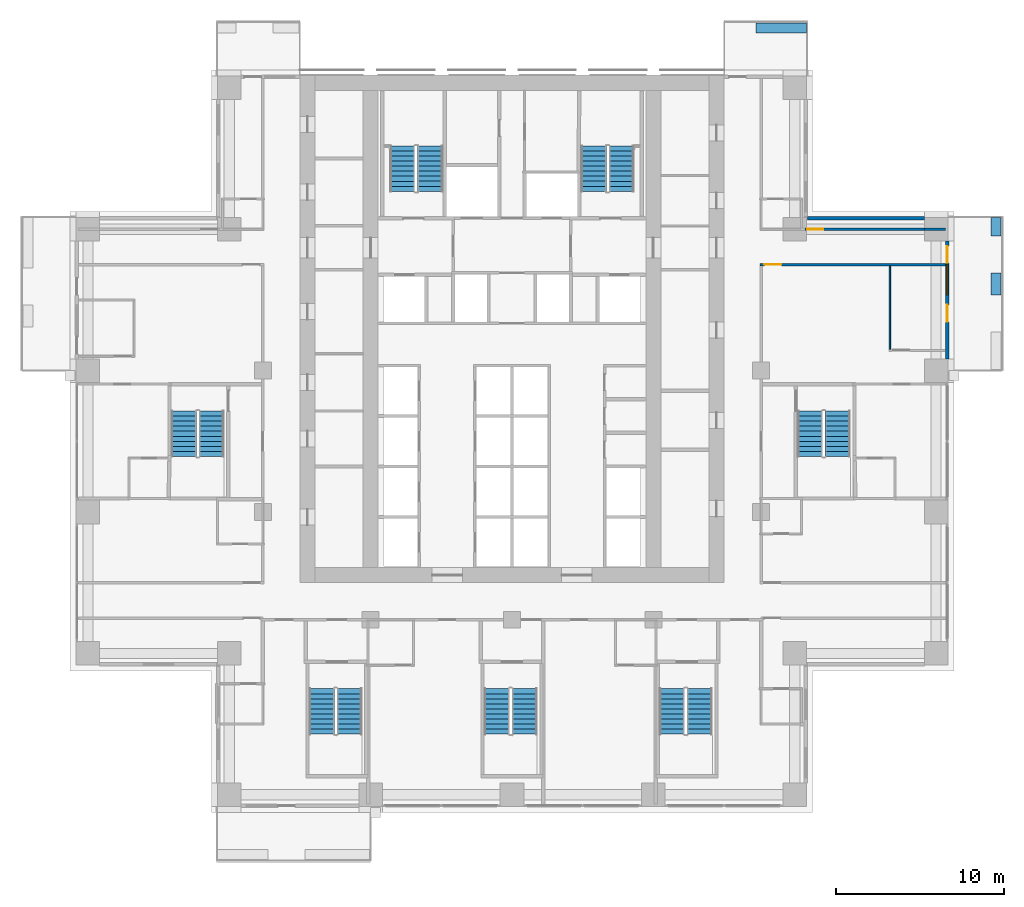
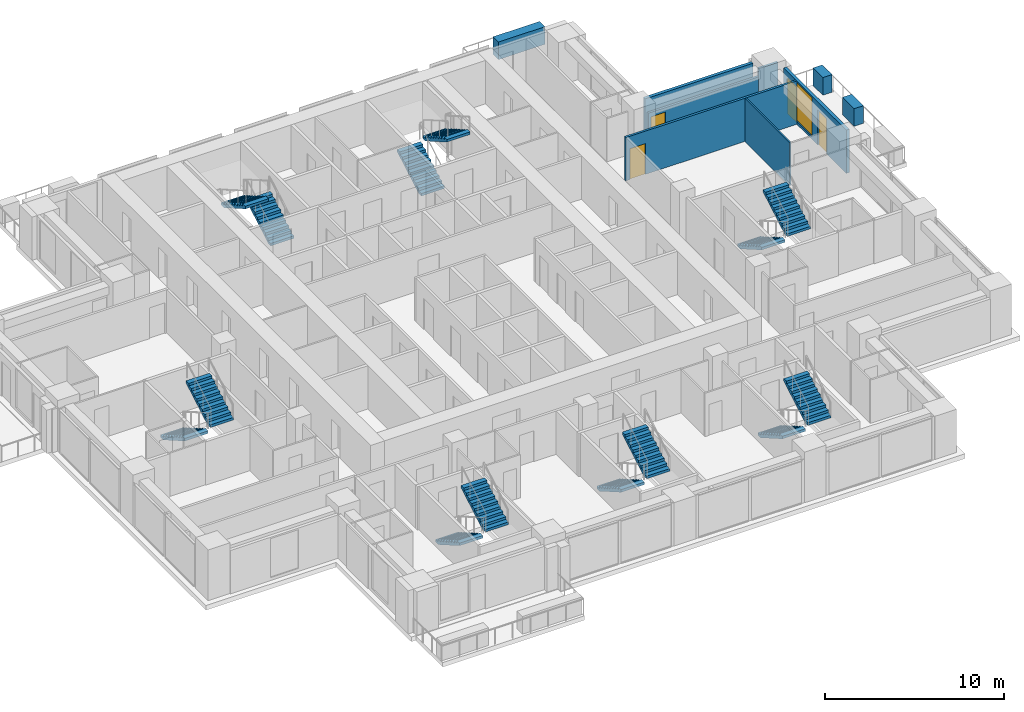
# One storey, part 12 of 16: 14 stair flights, 9 walls, 4 doors, 1 window, 5 openings, 7 elements without a shape of their own.
"""IFC4 building model written with IfcOpenShell, lengths in metres."""

from ifc_helpers import new_model, si_unit, direction, frame, frame_2d, origin, place, context, subcontext, project, spatial, polyline, rectangle, outline, extrude, material, layer, layer_set, type_object, element, fill, aggregate, save


model = new_model("IFC4")

# Units and contexts
model_context = context("Model", 3, precision=1e-05, world=origin(), true_north=direction((0.0, 1.0)))
body_context = subcontext(model_context, "Body", "Model", "MODEL_VIEW")
ifc_project = project(units=[si_unit("LENGTHUNIT", "METRE"), si_unit("AREAUNIT", "SQUARE_METRE"), si_unit("VOLUMEUNIT", "CUBIC_METRE"), si_unit("PLANEANGLEUNIT", "RADIAN"), si_unit("MASSUNIT", "GRAM", prefix="KILO")], contexts=[model_context])

# Site, building, storey
site_placement = place(None, origin())
site = spatial("IfcSite", under=ifc_project, at=site_placement, CompositionType="ELEMENT")
building_placement = place(site_placement, origin())
building = spatial("IfcBuilding", under=site, at=building_placement, Name="Vermilion Ogive Tower", CompositionType="ELEMENT")
storey_placement = place(building_placement, frame((0.0, 0.0, 72.449951171875)))
storey = spatial("IfcBuildingStorey", under=building, at=storey_placement, Name="L17", CompositionType="ELEMENT", Elevation=72.449951171875)

# Wall
ifc_material_1 = material(Name="Gypsum board partition on steel studs", Category="steel")
ifc_layer_1 = layer(ifc_material_1, 0.10009765625)
ifc_layer_set_1 = layer_set([ifc_layer_1], Name="Partition 100 inner")
wall_type_1 = type_object("IfcWallType", Name="Partition 100 inner", PredefinedType="PARTITIONING", material=ifc_layer_set_1)
wall_1_placement = place(storey_placement, frame((22.449951171875, 5.449951171875, 0.0), z_axis=(0.0, 0.0, 1.0), x_axis=(0.0, 1.0, 0.0)))
element("IfcWall", 1, at=wall_1_placement, inside=storey, type_object=wall_type_1, Name="L17-W-W094", PredefinedType="PARTITIONING", context=body_context, shape_type="SweptSolid", body=[
    extrude(rectangle(XDim=4.97509765625, YDim=0.10009765625, at=frame_2d((2.487548828125, 0.0))), origin(), (0.0, 0.0, 1.0), 2.949951171875),
])

# Wall, opening, door
ifc_material_2 = material(Name="Gypsum board partition on steel studs", Category="steel")
ifc_layer_2 = layer(ifc_material_2, 0.14990234375)
ifc_layer_set_2 = layer_set([ifc_layer_2], Name="Partition 150 corridor")
wall_type_2 = type_object("IfcWallType", Name="Partition 150 corridor", PredefinedType="PARTITIONING", material=ifc_layer_set_2)
wall_2_placement = place(storey_placement, frame((14.72509765625, 10.5, 0.0), z_axis=(0.0, 0.0, 1.0), x_axis=(1.0, 0.0, 0.0)))
wall_2 = element("IfcWall", 2, at=wall_2_placement, inside=storey, type_object=wall_type_2, Name="L17-W-W043", PredefinedType="PARTITIONING", context=body_context, shape_type="SweptSolid", body=[
    extrude(rectangle(XDim=11.02490234375, YDim=0.14990234375, at=frame_2d((5.512451171875, 0.0))), origin(), (0.0, 0.0, 1.0), 2.949951171875),
])
opening_1_placement = place(wall_2_placement, frame((0.27490234375, 0.0, 0.0)))
opening_1 = element("IfcOpeningElement", 3, at=opening_1_placement, cuts=wall_2, Name="Opening D1G6020", PredefinedType="OPENING", context=body_context, shape_type="SweptSolid", body=[
    extrude(rectangle(XDim=1.0, YDim=2.10009765625, at=frame_2d((0.5, 1.050048828125))), frame((0.0, 0.0849609375, 0.0), z_axis=(0.0, -1.0, 0.0), x_axis=(1.0, 0.0, 0.0)), (0.0, 0.0, 1.0), 0.169921875),
])
ifc_material_3 = material(Name="Timber door leaf", Category="wood")
door_type_1 = type_object("IfcDoorType", Name="Unit door 1000 x 2100 FD30S", OperationType="SINGLE_SWING_LEFT", PredefinedType="DOOR", material=ifc_material_3)
door_1_placement = place(opening_1_placement, origin())
door_1 = element("IfcDoor", 4, at=door_1_placement, inside=storey, type_object=door_type_1, Name="L17-D-D020", OperationType="SINGLE_SWING_RIGHT", OverallHeight=2.10009765625, OverallWidth=1.0, PredefinedType="DOOR", context=body_context, shape_type="SweptSolid", body=[
    extrude(rectangle(XDim=1.0, YDim=2.10009765625, at=frame_2d((0.5, 1.050048828125))), frame((0.0, 0.02490234375, 0.0), z_axis=(0.0, -1.0, 0.0), x_axis=(1.0, 0.0, 0.0)), (0.0, 0.0, 1.0), 0.050048828125),
])
fill(opening_1, door_1)

wall_3_placement = place(storey_placement, frame((17.39990234375, 12.60009765625, 0.0), z_axis=(0.0, 0.0, 1.0), x_axis=(1.0, 0.0, 0.0)))
wall_3 = element("IfcWall", 5, at=wall_3_placement, inside=storey, type_object=wall_type_2, Name="L17-W-W047-h1", PredefinedType="PARTITIONING", context=body_context, shape_type="SweptSolid", body=[
    extrude(rectangle(XDim=7.10009765625, YDim=0.14990234375, at=frame_2d((3.550048828125, 0.0))), origin(), (0.0, 0.0, 1.0), 2.400146484375),
])
opening_2_placement = place(wall_3_placement, frame((0.14990234375, 0.0, 0.0)))
opening_2 = element("IfcOpeningElement", 6, at=opening_2_placement, cuts=wall_3, Name="Opening D1G6023", PredefinedType="OPENING", context=body_context, shape_type="SweptSolid", body=[
    extrude(rectangle(XDim=0.949951171875, YDim=2.10009765625, at=frame_2d((0.47509765625, 1.050048828125))), frame((0.0, 0.0849609375, 0.0), z_axis=(0.0, -1.0, 0.0), x_axis=(1.0, 0.0, 0.0)), (0.0, 0.0, 1.0), 0.169921875),
])
ifc_material_4 = material(Name="Timber door leaf", Category="wood")
door_type_2 = type_object("IfcDoorType", Name="Unit door 950 x 2100 FD30S", OperationType="SINGLE_SWING_LEFT", PredefinedType="DOOR", material=ifc_material_4)
door_2_placement = place(opening_2_placement, origin())
door_2 = element("IfcDoor", 7, at=door_2_placement, inside=storey, type_object=door_type_2, Name="L17-D-D023", OperationType="SINGLE_SWING_LEFT", OverallHeight=2.10009765625, OverallWidth=0.949951171875, PredefinedType="DOOR", context=body_context, shape_type="SweptSolid", body=[
    extrude(rectangle(XDim=0.949951171875, YDim=2.10009765625, at=frame_2d((0.47509765625, 1.050048828125))), frame((0.0, 0.02490234375, 0.0), z_axis=(0.0, -1.0, 0.0), x_axis=(1.0, 0.0, 0.0)), (0.0, 0.0, 1.0), 0.050048828125),
])
fill(opening_2, door_2)

# Walls
wall_4_placement = place(storey_placement, frame((24.5, 12.60009765625, 0.0), z_axis=(0.0, 0.0, 1.0), x_axis=(1.0, 0.0, 0.0)))
element("IfcWall", 8, at=wall_4_placement, inside=storey, type_object=wall_type_2, Name="L17-W-W047-h2", PredefinedType="PARTITIONING", context=body_context, shape_type="SweptSolid", body=[
    extrude(rectangle(XDim=1.25, YDim=0.14990234375, at=frame_2d((0.625, 0.0))), origin(), (0.0, 0.0, 1.0), 2.949951171875),
])
ifc_material_5 = material(Name="Concrete B40", Category="concrete")
ifc_layer_3 = layer(ifc_material_5, 0.60009765625)
ifc_layer_set_3 = layer_set([ifc_layer_3], Name="Structural planter")
wall_type_3 = type_object("IfcWallType", Name="Structural planter", PredefinedType="USERDEFINED", material=ifc_layer_set_3)
wall_5_placement = place(storey_placement, frame((28.75, 8.699951171875, -0.0400390625), z_axis=(0.0, 0.0, 1.0), x_axis=(0.0, 1.0, 0.0)))
element("IfcWall", 9, at=wall_5_placement, inside=storey, type_object=wall_type_3, Name="Planter E03A2", ObjectType="PLANTER", PredefinedType="USERDEFINED", context=body_context, shape_type="SweptSolid", body=[
    extrude(rectangle(XDim=1.300048828125, YDim=0.60009765625, at=frame_2d((0.64990234375, 0.0))), origin(), (0.0, 0.0, 1.0), 1.2001953125),
])
wall_6_placement = place(storey_placement, frame((28.75, 12.199951171875, -0.0400390625), z_axis=(0.0, 0.0, 1.0), x_axis=(0.0, 1.0, 0.0)))
element("IfcWall", 10, at=wall_6_placement, inside=storey, type_object=wall_type_3, Name="Planter E03A3", ObjectType="PLANTER", PredefinedType="USERDEFINED", context=body_context, shape_type="SweptSolid", body=[
    extrude(rectangle(XDim=1.090087890625, YDim=0.60009765625, at=frame_2d((0.544921875, 0.0))), origin(), (0.0, 0.0, 1.0), 1.2001953125),
])
wall_7_placement = place(storey_placement, frame((17.489990234375, 24.550048828125, -0.0400390625), z_axis=(0.0, 0.0, 1.0), x_axis=(-1.0, 0.0, 0.0)))
element("IfcWall", 11, at=wall_7_placement, inside=storey, type_object=wall_type_3, Name="Planter N101A1", ObjectType="PLANTER", PredefinedType="USERDEFINED", context=body_context, shape_type="SweptSolid", body=[
    extrude(rectangle(XDim=2.989990234375, YDim=0.60009765625, at=frame_2d((1.4951171875, 0.0))), origin(), (0.0, 0.0, 1.0), 1.2001953125),
])

# Wall, openings, doors, window
ifc_material_6 = material(Name="Aluminium window wall framing", Category="aluminium")
ifc_layer_4 = layer(ifc_material_6, 0.199951171875)
ifc_layer_set_4 = layer_set([ifc_layer_4], Name="Window wall")
wall_type_4 = type_object("IfcWallType", Name="Window wall", PredefinedType="STANDARD", material=ifc_layer_set_4)
wall_8_placement = place(storey_placement, frame((25.85009765625, 4.89990234375, 0.0), z_axis=(0.0, 0.0, 1.0), x_axis=(0.0, 1.0, 0.0)))
wall_8 = element("IfcWall", 12, at=wall_8_placement, inside=storey, type_object=wall_type_4, Name="Window wall E3", PredefinedType="STANDARD", context=body_context, shape_type="SweptSolid", body=[
    extrude(rectangle(XDim=7.0, YDim=0.199951171875, at=frame_2d((3.5, 0.0))), origin(), (0.0, 0.0, 1.0), 2.949951171875),
])
opening_3_placement = place(wall_8_placement, frame((2.199951171875, 0.0, 0.0)))
opening_3 = element("IfcOpeningElement", 13, at=opening_3_placement, cuts=wall_8, Name="Opening D1-E01", PredefinedType="OPENING", context=body_context, shape_type="SweptSolid", body=[
    extrude(rectangle(XDim=1.0, YDim=2.39990234375, at=frame_2d((0.5, 1.199951171875))), frame((0.0, 0.10986328125, 0.0), z_axis=(0.0, -1.0, 0.0), x_axis=(1.0, 0.0, 0.0)), (0.0, 0.0, 1.0), 0.219970703125),
])
opening_4_placement = place(wall_8_placement, frame((3.800048828125, 0.0, 0.199951171875)))
opening_4 = element("IfcOpeningElement", 14, at=opening_4_placement, cuts=wall_8, Name="Opening W1-E02", PredefinedType="OPENING", context=body_context, shape_type="SweptSolid", body=[
    extrude(rectangle(XDim=1.800048828125, YDim=2.64990234375, at=frame_2d((0.89990234375, 1.324951171875))), frame((0.0, 0.10986328125, 0.0), z_axis=(0.0, -1.0, 0.0), x_axis=(1.0, 0.0, 0.0)), (0.0, 0.0, 1.0), 0.219970703125),
])
opening_5_placement = place(wall_8_placement, frame((5.699951171875, 0.0, 0.0)))
opening_5 = element("IfcOpeningElement", 15, at=opening_5_placement, cuts=wall_8, Name="Opening D1-E02", PredefinedType="OPENING", context=body_context, shape_type="SweptSolid", body=[
    extrude(rectangle(XDim=1.0, YDim=2.39990234375, at=frame_2d((0.5, 1.199951171875))), frame((0.0, 0.10986328125, 0.0), z_axis=(0.0, -1.0, 0.0), x_axis=(1.0, 0.0, 0.0)), (0.0, 0.0, 1.0), 0.219970703125),
])
ifc_material_7 = material(Name="Aluminium framed glazed door", Category="aluminium")
door_type_3 = type_object("IfcDoorType", Name="Balcony door D1", OperationType="SINGLE_SWING_LEFT", PredefinedType="DOOR", material=ifc_material_7)
door_3_placement = place(opening_3_placement, origin())
door_3 = element("IfcDoor", 16, at=door_3_placement, inside=storey, type_object=door_type_3, Name="Balcony door E01", OperationType="SINGLE_SWING_LEFT", OverallHeight=2.39990234375, OverallWidth=1.0, PredefinedType="DOOR", context=body_context, shape_type="SweptSolid", body=[
    extrude(rectangle(XDim=1.0, YDim=2.39990234375, at=frame_2d((0.5, 1.199951171875))), frame((0.0, 0.02490234375, 0.0), z_axis=(0.0, -1.0, 0.0), x_axis=(1.0, 0.0, 0.0)), (0.0, 0.0, 1.0), 0.050048828125),
])
fill(opening_3, door_3)
door_4_placement = place(opening_5_placement, origin())
door_4 = element("IfcDoor", 17, at=door_4_placement, inside=storey, type_object=door_type_3, Name="Balcony door E02", OperationType="SINGLE_SWING_LEFT", OverallHeight=2.39990234375, OverallWidth=1.0, PredefinedType="DOOR", context=body_context, shape_type="SweptSolid", body=[
    extrude(rectangle(XDim=1.0, YDim=2.39990234375, at=frame_2d((0.5, 1.199951171875))), frame((0.0, 0.02490234375, 0.0), z_axis=(0.0, -1.0, 0.0), x_axis=(1.0, 0.0, 0.0)), (0.0, 0.0, 1.0), 0.050048828125),
])
fill(opening_5, door_4)
ifc_material_8 = material(Name="Aluminium framed double glazing", Category="aluminium")
window_type = type_object("IfcWindowType", Name="Guest window W1", PartitioningType="SINGLE_PANEL", PredefinedType="WINDOW", material=ifc_material_8)
window_placement = place(opening_4_placement, origin())
window = element("IfcWindow", 18, at=window_placement, inside=storey, type_object=window_type, Name="Window E02", OverallHeight=2.64990234375, OverallWidth=1.800048828125, PartitioningType="SINGLE_PANEL", PredefinedType="WINDOW", context=body_context, shape_type="SweptSolid", body=[
    extrude(rectangle(XDim=1.800048828125, YDim=2.64990234375, at=frame_2d((0.89990234375, 1.324951171875))), frame((0.0, 0.030029296875, 0.0), z_axis=(0.0, -1.0, 0.0), x_axis=(1.0, 0.0, 0.0)), (0.0, 0.0, 1.0), 0.06005859375),
])
fill(opening_4, window)

# Wall
wall_9_placement = place(storey_placement, frame((24.5, 13.25, 0.0), z_axis=(0.0, 0.0, 1.0), x_axis=(-1.0, 0.0, 0.0)))
element("IfcWall", 19, at=wall_9_placement, inside=storey, type_object=wall_type_4, Name="Window wall X31", PredefinedType="STANDARD", context=body_context, shape_type="SweptSolid", body=[
    extrude(rectangle(XDim=6.949951171875, YDim=0.199951171875, at=frame_2d((3.47509765625, 0.0))), origin(), (0.0, 0.0, 1.0), 2.949951171875),
])

# Stair, stair flights
ifc_material_9 = material(Name="Concrete B40", Category="concrete")
stair_type = type_object("IfcStairType", Name="Exit stair 1500", PredefinedType="HALF_TURN_STAIR", material=ifc_material_9)
stair_1_placement = place(storey_placement, origin())
stair_1 = element("IfcStair", 20, at=stair_1_placement, inside=storey, type_object=stair_type, Name="L17 Exit Stair ST1", PredefinedType="HALF_TURN_STAIR")
ifc_material_10 = material(Name="Concrete B40", Category="concrete")
stair_flight_type = type_object("IfcStairFlightType", Name="Stair flight 1500", PredefinedType="STRAIGHT", material=ifc_material_10)
stair_flight_1_placement = place(storey_placement, frame((-4.85009765625, 14.85009765625, 0.0), z_axis=(0.0, 0.0, 1.0), x_axis=(0.0, 1.0, 0.0)))
stair_flight_1 = element("IfcStairFlight", 21, at=stair_flight_1_placement, type_object=stair_flight_type, Name="ST1 flight 1", NumberOfRisers=10, NumberOfTreads=9, PredefinedType="STRAIGHT", RiserHeight=0.1725, TreadLength=0.3, context=body_context, shape_type="SweptSolid", body=[
    extrude(outline(polyline([(0.0, 0.0), (0.0, 0.172607421875), (0.300048828125, 0.172607421875), (0.300048828125, 0.344970703125), (0.60009765625, 0.344970703125), (0.60009765625, 0.517578125), (0.89990234375, 0.517578125), (0.89990234375, 0.68994140625), (1.199951171875, 0.68994140625), (1.199951171875, 0.862548828125), (1.5, 0.862548828125), (1.5, 1.034912109375), (1.800048828125, 1.034912109375), (1.800048828125, 1.20751953125), (2.10009765625, 1.20751953125), (2.10009765625, 1.3798828125), (2.39990234375, 1.3798828125), (2.39990234375, 1.552490234375), (2.699951171875, 1.552490234375), (2.699951171875, 1.72509765625), (2.699951171875, 1.379638671875), (0.30078125, 0.0), (0.0, 0.0)])), frame((0.0, 0.75, 0.0), z_axis=(0.0, -1.0, 0.0), x_axis=(1.0, 0.0, 0.0)), (0.0, 0.0, 1.0), 1.5),
])
stair_flight_2_placement = place(storey_placement, frame((-6.5, 17.550048828125, 1.72509765625), z_axis=(0.0, 0.0, 1.0), x_axis=(0.0, -1.0, 0.0)))
stair_flight_2 = element("IfcStairFlight", 22, at=stair_flight_2_placement, type_object=stair_flight_type, Name="ST1 flight 2", NumberOfRisers=10, NumberOfTreads=9, PredefinedType="STRAIGHT", RiserHeight=0.1725, TreadLength=0.3, context=body_context, shape_type="SweptSolid", body=[
    extrude(outline(polyline([(0.0, 0.0), (0.0, 0.172607421875), (0.300048828125, 0.172607421875), (0.300048828125, 0.344970703125), (0.60009765625, 0.344970703125), (0.60009765625, 0.517578125), (0.89990234375, 0.517578125), (0.89990234375, 0.68994140625), (1.199951171875, 0.68994140625), (1.199951171875, 0.862548828125), (1.5, 0.862548828125), (1.5, 1.034912109375), (1.800048828125, 1.034912109375), (1.800048828125, 1.20751953125), (2.10009765625, 1.20751953125), (2.10009765625, 1.3798828125), (2.39990234375, 1.3798828125), (2.39990234375, 1.552490234375), (2.699951171875, 1.552490234375), (2.699951171875, 1.72509765625), (2.699951171875, 1.379638671875), (0.30078125, 0.0), (0.0, 0.0)])), frame((0.0, 0.75, 0.0), z_axis=(0.0, -1.0, 0.0), x_axis=(1.0, 0.0, 0.0)), (0.0, 0.0, 1.0), 1.5),
])
aggregate(stair_1, [stair_flight_1, stair_flight_2])

stair_2_placement = place(storey_placement, origin())
stair_2 = element("IfcStair", 23, at=stair_2_placement, inside=storey, type_object=stair_type, Name="L17 Exit Stair ST2", PredefinedType="HALF_TURN_STAIR")
stair_flight_3_placement = place(storey_placement, frame((4.85009765625, 14.85009765625, 0.0), z_axis=(0.0, 0.0, 1.0), x_axis=(0.0, 1.0, 0.0)))
stair_flight_3 = element("IfcStairFlight", 24, at=stair_flight_3_placement, type_object=stair_flight_type, Name="ST2 flight 1", NumberOfRisers=10, NumberOfTreads=9, PredefinedType="STRAIGHT", RiserHeight=0.1725, TreadLength=0.3, context=body_context, shape_type="SweptSolid", body=[
    extrude(outline(polyline([(0.0, 0.0), (0.0, 0.172607421875), (0.300048828125, 0.172607421875), (0.300048828125, 0.344970703125), (0.60009765625, 0.344970703125), (0.60009765625, 0.517578125), (0.89990234375, 0.517578125), (0.89990234375, 0.68994140625), (1.199951171875, 0.68994140625), (1.199951171875, 0.862548828125), (1.5, 0.862548828125), (1.5, 1.034912109375), (1.800048828125, 1.034912109375), (1.800048828125, 1.20751953125), (2.10009765625, 1.20751953125), (2.10009765625, 1.3798828125), (2.39990234375, 1.3798828125), (2.39990234375, 1.552490234375), (2.699951171875, 1.552490234375), (2.699951171875, 1.72509765625), (2.699951171875, 1.379638671875), (0.30078125, 0.0), (0.0, 0.0)])), frame((0.0, 0.75, 0.0), z_axis=(0.0, -1.0, 0.0), x_axis=(1.0, 0.0, 0.0)), (0.0, 0.0, 1.0), 1.5),
])
stair_flight_4_placement = place(storey_placement, frame((6.5, 17.550048828125, 1.72509765625), z_axis=(0.0, 0.0, 1.0), x_axis=(0.0, -1.0, 0.0)))
stair_flight_4 = element("IfcStairFlight", 25, at=stair_flight_4_placement, type_object=stair_flight_type, Name="ST2 flight 2", NumberOfRisers=10, NumberOfTreads=9, PredefinedType="STRAIGHT", RiserHeight=0.1725, TreadLength=0.3, context=body_context, shape_type="SweptSolid", body=[
    extrude(outline(polyline([(0.0, 0.0), (0.0, 0.172607421875), (0.300048828125, 0.172607421875), (0.300048828125, 0.344970703125), (0.60009765625, 0.344970703125), (0.60009765625, 0.517578125), (0.89990234375, 0.517578125), (0.89990234375, 0.68994140625), (1.199951171875, 0.68994140625), (1.199951171875, 0.862548828125), (1.5, 0.862548828125), (1.5, 1.034912109375), (1.800048828125, 1.034912109375), (1.800048828125, 1.20751953125), (2.10009765625, 1.20751953125), (2.10009765625, 1.3798828125), (2.39990234375, 1.3798828125), (2.39990234375, 1.552490234375), (2.699951171875, 1.552490234375), (2.699951171875, 1.72509765625), (2.699951171875, 1.379638671875), (0.30078125, 0.0), (0.0, 0.0)])), frame((0.0, 0.75, 0.0), z_axis=(0.0, -1.0, 0.0), x_axis=(1.0, 0.0, 0.0)), (0.0, 0.0, 1.0), 1.5),
])
aggregate(stair_2, [stair_flight_3, stair_flight_4])

stair_3_placement = place(storey_placement, origin())
stair_3 = element("IfcStair", 26, at=stair_3_placement, inside=storey, type_object=stair_type, Name="L17 Exit Stair ST3", PredefinedType="HALF_TURN_STAIR")
stair_flight_5_placement = place(storey_placement, frame((-11.300048828125, -14.699951171875, 0.0), z_axis=(0.0, 0.0, 1.0), x_axis=(0.0, -1.0, 0.0)))
stair_flight_5 = element("IfcStairFlight", 27, at=stair_flight_5_placement, type_object=stair_flight_type, Name="ST3 flight 1", NumberOfRisers=10, NumberOfTreads=9, PredefinedType="STRAIGHT", RiserHeight=0.1725, TreadLength=0.3, context=body_context, shape_type="SweptSolid", body=[
    extrude(outline(polyline([(0.0, 0.0), (0.0, 0.172607421875), (0.300048828125, 0.172607421875), (0.300048828125, 0.344970703125), (0.60009765625, 0.344970703125), (0.60009765625, 0.517578125), (0.89990234375, 0.517578125), (0.89990234375, 0.68994140625), (1.199951171875, 0.68994140625), (1.199951171875, 0.862548828125), (1.5, 0.862548828125), (1.5, 1.034912109375), (1.800048828125, 1.034912109375), (1.800048828125, 1.20751953125), (2.10009765625, 1.20751953125), (2.10009765625, 1.3798828125), (2.39990234375, 1.3798828125), (2.39990234375, 1.552490234375), (2.699951171875, 1.552490234375), (2.699951171875, 1.72509765625), (2.699951171875, 1.379638671875), (0.30078125, 0.0), (0.0, 0.0)])), frame((0.0, 0.75, 0.0), z_axis=(0.0, -1.0, 0.0), x_axis=(1.0, 0.0, 0.0)), (0.0, 0.0, 1.0), 1.5),
])
stair_flight_6_placement = place(storey_placement, frame((-9.64990234375, -17.39990234375, 1.72509765625), z_axis=(0.0, 0.0, 1.0), x_axis=(0.0, 1.0, 0.0)))
stair_flight_6 = element("IfcStairFlight", 28, at=stair_flight_6_placement, type_object=stair_flight_type, Name="ST3 flight 2", NumberOfRisers=10, NumberOfTreads=9, PredefinedType="STRAIGHT", RiserHeight=0.1725, TreadLength=0.3, context=body_context, shape_type="SweptSolid", body=[
    extrude(outline(polyline([(0.0, 0.0), (0.0, 0.172607421875), (0.300048828125, 0.172607421875), (0.300048828125, 0.344970703125), (0.60009765625, 0.344970703125), (0.60009765625, 0.517578125), (0.89990234375, 0.517578125), (0.89990234375, 0.68994140625), (1.199951171875, 0.68994140625), (1.199951171875, 0.862548828125), (1.5, 0.862548828125), (1.5, 1.034912109375), (1.800048828125, 1.034912109375), (1.800048828125, 1.20751953125), (2.10009765625, 1.20751953125), (2.10009765625, 1.3798828125), (2.39990234375, 1.3798828125), (2.39990234375, 1.552490234375), (2.699951171875, 1.552490234375), (2.699951171875, 1.72509765625), (2.699951171875, 1.379638671875), (0.30078125, 0.0), (0.0, 0.0)])), frame((0.0, 0.75, 0.0), z_axis=(0.0, -1.0, 0.0), x_axis=(1.0, 0.0, 0.0)), (0.0, 0.0, 1.0), 1.5),
])
aggregate(stair_3, [stair_flight_5, stair_flight_6])

stair_4_placement = place(storey_placement, origin())
stair_4 = element("IfcStair", 29, at=stair_4_placement, inside=storey, type_object=stair_type, Name="L17 Exit Stair ST4", PredefinedType="HALF_TURN_STAIR")
stair_flight_7_placement = place(storey_placement, frame((-0.89990234375, -14.699951171875, 0.0), z_axis=(0.0, 0.0, 1.0), x_axis=(0.0, -1.0, 0.0)))
stair_flight_7 = element("IfcStairFlight", 30, at=stair_flight_7_placement, type_object=stair_flight_type, Name="ST4 flight 1", NumberOfRisers=10, NumberOfTreads=9, PredefinedType="STRAIGHT", RiserHeight=0.1725, TreadLength=0.3, context=body_context, shape_type="SweptSolid", body=[
    extrude(outline(polyline([(0.0, 0.0), (0.0, 0.172607421875), (0.300048828125, 0.172607421875), (0.300048828125, 0.344970703125), (0.60009765625, 0.344970703125), (0.60009765625, 0.517578125), (0.89990234375, 0.517578125), (0.89990234375, 0.68994140625), (1.199951171875, 0.68994140625), (1.199951171875, 0.862548828125), (1.5, 0.862548828125), (1.5, 1.034912109375), (1.800048828125, 1.034912109375), (1.800048828125, 1.20751953125), (2.10009765625, 1.20751953125), (2.10009765625, 1.3798828125), (2.39990234375, 1.3798828125), (2.39990234375, 1.552490234375), (2.699951171875, 1.552490234375), (2.699951171875, 1.72509765625), (2.699951171875, 1.379638671875), (0.30078125, 0.0), (0.0, 0.0)])), frame((0.0, 0.75, 0.0), z_axis=(0.0, -1.0, 0.0), x_axis=(1.0, 0.0, 0.0)), (0.0, 0.0, 1.0), 1.5),
])
stair_flight_8_placement = place(storey_placement, frame((0.75, -17.39990234375, 1.72509765625), z_axis=(0.0, 0.0, 1.0), x_axis=(0.0, 1.0, 0.0)))
stair_flight_8 = element("IfcStairFlight", 31, at=stair_flight_8_placement, type_object=stair_flight_type, Name="ST4 flight 2", NumberOfRisers=10, NumberOfTreads=9, PredefinedType="STRAIGHT", RiserHeight=0.1725, TreadLength=0.3, context=body_context, shape_type="SweptSolid", body=[
    extrude(outline(polyline([(0.0, 0.0), (0.0, 0.172607421875), (0.300048828125, 0.172607421875), (0.300048828125, 0.344970703125), (0.60009765625, 0.344970703125), (0.60009765625, 0.517578125), (0.89990234375, 0.517578125), (0.89990234375, 0.68994140625), (1.199951171875, 0.68994140625), (1.199951171875, 0.862548828125), (1.5, 0.862548828125), (1.5, 1.034912109375), (1.800048828125, 1.034912109375), (1.800048828125, 1.20751953125), (2.10009765625, 1.20751953125), (2.10009765625, 1.3798828125), (2.39990234375, 1.3798828125), (2.39990234375, 1.552490234375), (2.699951171875, 1.552490234375), (2.699951171875, 1.72509765625), (2.699951171875, 1.379638671875), (0.30078125, 0.0), (0.0, 0.0)])), frame((0.0, 0.75, 0.0), z_axis=(0.0, -1.0, 0.0), x_axis=(1.0, 0.0, 0.0)), (0.0, 0.0, 1.0), 1.5),
])
aggregate(stair_4, [stair_flight_7, stair_flight_8])

stair_5_placement = place(storey_placement, origin())
stair_5 = element("IfcStair", 32, at=stair_5_placement, inside=storey, type_object=stair_type, Name="L17 Exit Stair ST5", PredefinedType="HALF_TURN_STAIR")
stair_flight_9_placement = place(storey_placement, frame((9.5, -14.699951171875, 0.0), z_axis=(0.0, 0.0, 1.0), x_axis=(0.0, -1.0, 0.0)))
stair_flight_9 = element("IfcStairFlight", 33, at=stair_flight_9_placement, type_object=stair_flight_type, Name="ST5 flight 1", NumberOfRisers=10, NumberOfTreads=9, PredefinedType="STRAIGHT", RiserHeight=0.1725, TreadLength=0.3, context=body_context, shape_type="SweptSolid", body=[
    extrude(outline(polyline([(0.0, 0.0), (0.0, 0.172607421875), (0.300048828125, 0.172607421875), (0.300048828125, 0.344970703125), (0.60009765625, 0.344970703125), (0.60009765625, 0.517578125), (0.89990234375, 0.517578125), (0.89990234375, 0.68994140625), (1.199951171875, 0.68994140625), (1.199951171875, 0.862548828125), (1.5, 0.862548828125), (1.5, 1.034912109375), (1.800048828125, 1.034912109375), (1.800048828125, 1.20751953125), (2.10009765625, 1.20751953125), (2.10009765625, 1.3798828125), (2.39990234375, 1.3798828125), (2.39990234375, 1.552490234375), (2.699951171875, 1.552490234375), (2.699951171875, 1.72509765625), (2.699951171875, 1.379638671875), (0.30078125, 0.0), (0.0, 0.0)])), frame((0.0, 0.75, 0.0), z_axis=(0.0, -1.0, 0.0), x_axis=(1.0, 0.0, 0.0)), (0.0, 0.0, 1.0), 1.5),
])
stair_flight_10_placement = place(storey_placement, frame((11.14990234375, -17.39990234375, 1.72509765625), z_axis=(0.0, 0.0, 1.0), x_axis=(0.0, 1.0, 0.0)))
stair_flight_10 = element("IfcStairFlight", 34, at=stair_flight_10_placement, type_object=stair_flight_type, Name="ST5 flight 2", NumberOfRisers=10, NumberOfTreads=9, PredefinedType="STRAIGHT", RiserHeight=0.1725, TreadLength=0.3, context=body_context, shape_type="SweptSolid", body=[
    extrude(outline(polyline([(0.0, 0.0), (0.0, 0.172607421875), (0.300048828125, 0.172607421875), (0.300048828125, 0.344970703125), (0.60009765625, 0.344970703125), (0.60009765625, 0.517578125), (0.89990234375, 0.517578125), (0.89990234375, 0.68994140625), (1.199951171875, 0.68994140625), (1.199951171875, 0.862548828125), (1.5, 0.862548828125), (1.5, 1.034912109375), (1.800048828125, 1.034912109375), (1.800048828125, 1.20751953125), (2.10009765625, 1.20751953125), (2.10009765625, 1.3798828125), (2.39990234375, 1.3798828125), (2.39990234375, 1.552490234375), (2.699951171875, 1.552490234375), (2.699951171875, 1.72509765625), (2.699951171875, 1.379638671875), (0.30078125, 0.0), (0.0, 0.0)])), frame((0.0, 0.75, 0.0), z_axis=(0.0, -1.0, 0.0), x_axis=(1.0, 0.0, 0.0)), (0.0, 0.0, 1.0), 1.5),
])
aggregate(stair_5, [stair_flight_9, stair_flight_10])

stair_6_placement = place(storey_placement, origin())
stair_6 = element("IfcStair", 35, at=stair_6_placement, inside=storey, type_object=stair_type, Name="L17 Exit Stair ST8", PredefinedType="HALF_TURN_STAIR")
stair_flight_11_placement = place(storey_placement, frame((17.699951171875, 1.800048828125, 0.0), z_axis=(0.0, 0.0, 1.0), x_axis=(0.0, -1.0, 0.0)))
stair_flight_11 = element("IfcStairFlight", 36, at=stair_flight_11_placement, type_object=stair_flight_type, Name="ST8 flight 1", NumberOfRisers=10, NumberOfTreads=9, PredefinedType="STRAIGHT", RiserHeight=0.1725, TreadLength=0.3, context=body_context, shape_type="SweptSolid", body=[
    extrude(outline(polyline([(0.0, 0.0), (0.0, 0.172607421875), (0.300048828125, 0.172607421875), (0.300048828125, 0.344970703125), (0.60009765625, 0.344970703125), (0.60009765625, 0.517578125), (0.89990234375, 0.517578125), (0.89990234375, 0.68994140625), (1.199951171875, 0.68994140625), (1.199951171875, 0.862548828125), (1.5, 0.862548828125), (1.5, 1.034912109375), (1.800048828125, 1.034912109375), (1.800048828125, 1.20751953125), (2.10009765625, 1.20751953125), (2.10009765625, 1.3798828125), (2.39990234375, 1.3798828125), (2.39990234375, 1.552490234375), (2.699951171875, 1.552490234375), (2.699951171875, 1.72509765625), (2.699951171875, 1.379638671875), (0.30078125, 0.0), (0.0, 0.0)])), frame((0.0, 0.75, 0.0), z_axis=(0.0, -1.0, 0.0), x_axis=(1.0, 0.0, 0.0)), (0.0, 0.0, 1.0), 1.5),
])
stair_flight_12_placement = place(storey_placement, frame((19.35009765625, -0.89990234375, 1.72509765625), z_axis=(0.0, 0.0, 1.0), x_axis=(0.0, 1.0, 0.0)))
stair_flight_12 = element("IfcStairFlight", 37, at=stair_flight_12_placement, type_object=stair_flight_type, Name="ST8 flight 2", NumberOfRisers=10, NumberOfTreads=9, PredefinedType="STRAIGHT", RiserHeight=0.1725, TreadLength=0.3, context=body_context, shape_type="SweptSolid", body=[
    extrude(outline(polyline([(0.0, 0.0), (0.0, 0.172607421875), (0.300048828125, 0.172607421875), (0.300048828125, 0.344970703125), (0.60009765625, 0.344970703125), (0.60009765625, 0.517578125), (0.89990234375, 0.517578125), (0.89990234375, 0.68994140625), (1.199951171875, 0.68994140625), (1.199951171875, 0.862548828125), (1.5, 0.862548828125), (1.5, 1.034912109375), (1.800048828125, 1.034912109375), (1.800048828125, 1.20751953125), (2.10009765625, 1.20751953125), (2.10009765625, 1.3798828125), (2.39990234375, 1.3798828125), (2.39990234375, 1.552490234375), (2.699951171875, 1.552490234375), (2.699951171875, 1.72509765625), (2.699951171875, 1.379638671875), (0.30078125, 0.0), (0.0, 0.0)])), frame((0.0, 0.75, 0.0), z_axis=(0.0, -1.0, 0.0), x_axis=(1.0, 0.0, 0.0)), (0.0, 0.0, 1.0), 1.5),
])
aggregate(stair_6, [stair_flight_11, stair_flight_12])

stair_7_placement = place(storey_placement, origin())
stair_7 = element("IfcStair", 38, at=stair_7_placement, inside=storey, type_object=stair_type, Name="L17 Exit Stair ST9", PredefinedType="HALF_TURN_STAIR")
stair_flight_13_placement = place(storey_placement, frame((-19.5, 1.800048828125, 0.0), z_axis=(0.0, 0.0, 1.0), x_axis=(0.0, -1.0, 0.0)))
stair_flight_13 = element("IfcStairFlight", 39, at=stair_flight_13_placement, type_object=stair_flight_type, Name="ST9 flight 1", NumberOfRisers=10, NumberOfTreads=9, PredefinedType="STRAIGHT", RiserHeight=0.1725, TreadLength=0.3, context=body_context, shape_type="SweptSolid", body=[
    extrude(outline(polyline([(0.0, 0.0), (0.0, 0.172607421875), (0.300048828125, 0.172607421875), (0.300048828125, 0.344970703125), (0.60009765625, 0.344970703125), (0.60009765625, 0.517578125), (0.89990234375, 0.517578125), (0.89990234375, 0.68994140625), (1.199951171875, 0.68994140625), (1.199951171875, 0.862548828125), (1.5, 0.862548828125), (1.5, 1.034912109375), (1.800048828125, 1.034912109375), (1.800048828125, 1.20751953125), (2.10009765625, 1.20751953125), (2.10009765625, 1.3798828125), (2.39990234375, 1.3798828125), (2.39990234375, 1.552490234375), (2.699951171875, 1.552490234375), (2.699951171875, 1.72509765625), (2.699951171875, 1.379638671875), (0.30078125, 0.0), (0.0, 0.0)])), frame((0.0, 0.75, 0.0), z_axis=(0.0, -1.0, 0.0), x_axis=(1.0, 0.0, 0.0)), (0.0, 0.0, 1.0), 1.5),
])
stair_flight_14_placement = place(storey_placement, frame((-17.85009765625, -0.89990234375, 1.72509765625), z_axis=(0.0, 0.0, 1.0), x_axis=(0.0, 1.0, 0.0)))
stair_flight_14 = element("IfcStairFlight", 40, at=stair_flight_14_placement, type_object=stair_flight_type, Name="ST9 flight 2", NumberOfRisers=10, NumberOfTreads=9, PredefinedType="STRAIGHT", RiserHeight=0.1725, TreadLength=0.3, context=body_context, shape_type="SweptSolid", body=[
    extrude(outline(polyline([(0.0, 0.0), (0.0, 0.172607421875), (0.300048828125, 0.172607421875), (0.300048828125, 0.344970703125), (0.60009765625, 0.344970703125), (0.60009765625, 0.517578125), (0.89990234375, 0.517578125), (0.89990234375, 0.68994140625), (1.199951171875, 0.68994140625), (1.199951171875, 0.862548828125), (1.5, 0.862548828125), (1.5, 1.034912109375), (1.800048828125, 1.034912109375), (1.800048828125, 1.20751953125), (2.10009765625, 1.20751953125), (2.10009765625, 1.3798828125), (2.39990234375, 1.3798828125), (2.39990234375, 1.552490234375), (2.699951171875, 1.552490234375), (2.699951171875, 1.72509765625), (2.699951171875, 1.379638671875), (0.30078125, 0.0), (0.0, 0.0)])), frame((0.0, 0.75, 0.0), z_axis=(0.0, -1.0, 0.0), x_axis=(1.0, 0.0, 0.0)), (0.0, 0.0, 1.0), 1.5),
])
aggregate(stair_7, [stair_flight_13, stair_flight_14])

save(model, "model.ifc")
